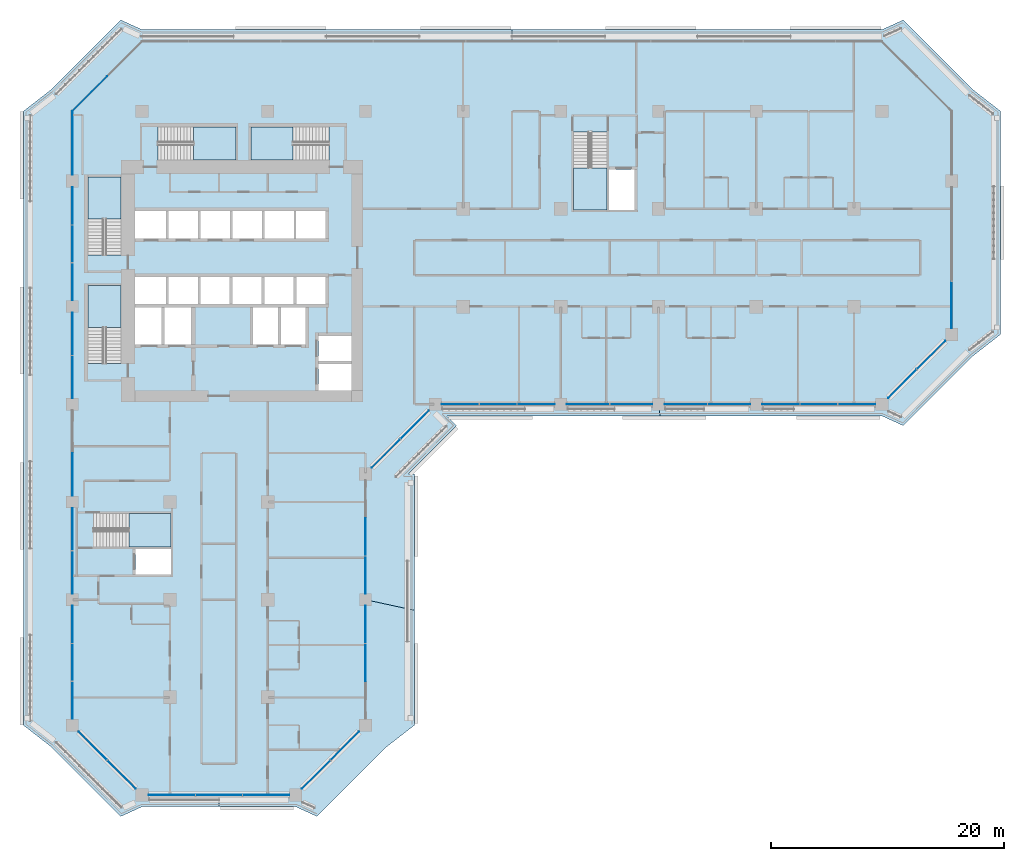
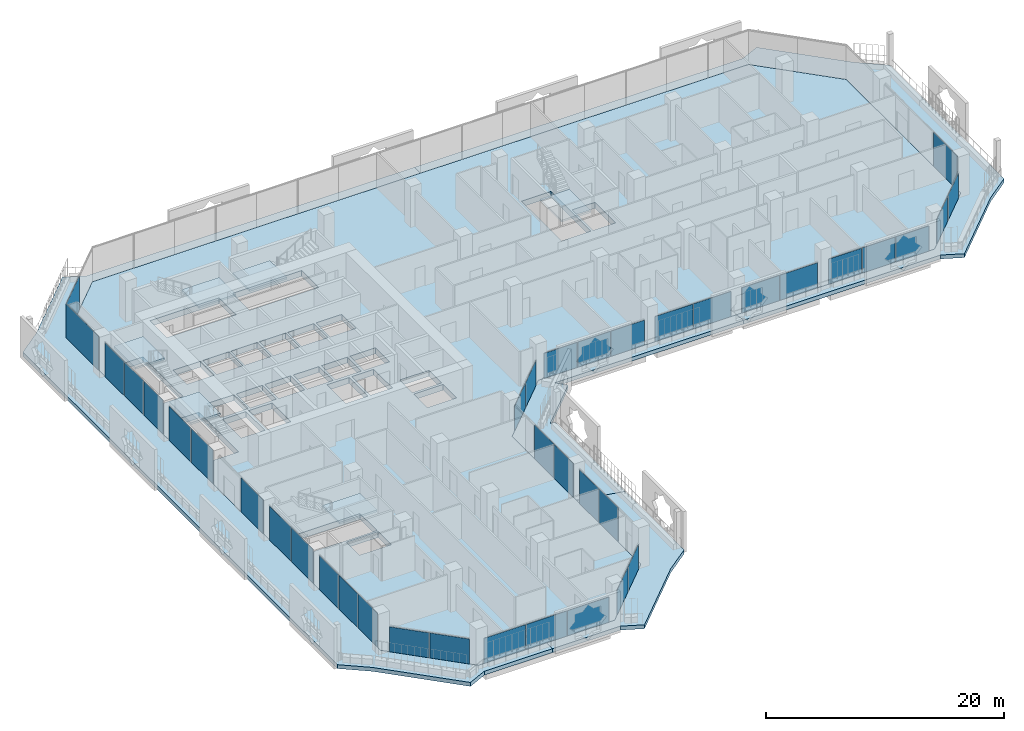
# One storey, part 10 of 25: 39 plates, 11 slabs, 16 elements without a shape of their own.
"""IFC4 building model written with IfcOpenShell, lengths in metres."""

from ifc_helpers import new_model, si_unit, direction, frame, origin, origin_2d, place, context, subcontext, project, spatial, polyline, rectangle, outline, extrude, material, layer, layer_set, type_object, element, aggregate, save


model = new_model("IFC4")

# Units and contexts
model_context = context("Model", 3, precision=1e-05, world=origin(), true_north=direction((0.0, 1.0)))
body_context = subcontext(model_context, "Body", "Model", "MODEL_VIEW")
ifc_project = project(units=[si_unit("LENGTHUNIT", "METRE"), si_unit("AREAUNIT", "SQUARE_METRE"), si_unit("VOLUMEUNIT", "CUBIC_METRE"), si_unit("PLANEANGLEUNIT", "RADIAN"), si_unit("MASSUNIT", "GRAM", prefix="KILO")], contexts=[model_context])

# Site, building, storey
site_placement = place(None, origin())
site = spatial("IfcSite", under=ifc_project, at=site_placement, CompositionType="ELEMENT")
building_placement = place(site_placement, origin())
building = spatial("IfcBuilding", under=site, at=building_placement, Name="Kawkab Arch Medical Tower", CompositionType="ELEMENT")
storey_placement = place(building_placement, frame((0.0, 0.0, 124.0)))
storey = spatial("IfcBuildingStorey", under=building, at=storey_placement, Name="L28", CompositionType="ELEMENT", Elevation=124.0)

# Curtain wall, plates
ifc_material_1 = material(Name="Bronze anodised aluminium curtain wall frame", Category="aluminium")
ifc_layer_1 = layer(ifc_material_1, 0.159912109375)
ifc_layer_set_1 = layer_set([ifc_layer_1], Name="Bronze anodised aluminium curtain wall frame")
curtain_wall_type_1 = type_object("IfcCurtainWallType", Name="CW1 ward curtain wall", PredefinedType="NOTDEFINED", material=ifc_layer_set_1)
placement_1 = place(storey_placement, origin())
curtain_wall_1 = element("IfcCurtainWall", 1, at=placement_1, inside=storey, type_object=curtain_wall_type_1, Name="CW1 Ward curtain wall R01", PredefinedType="NOTDEFINED")
ifc_material_2 = material(Name="Tinted insulating glass, bronze low-e coating", Category="glass")
ifc_layer_2 = layer(ifc_material_2, 0.031982421875)
ifc_layer_set_2 = layer_set([ifc_layer_2], Name="Tinted insulating glass, bronze low-e coating")
plate_type_1 = type_object("IfcPlateType", Name="CW1 glazing unit 32", PredefinedType="CURTAIN_PANEL", material=ifc_layer_set_2)
plate_1_placement = place(storey_placement, frame((0.0, -2.72509765625, 0.0), z_axis=(0.0, 0.0, 1.0), x_axis=(0.0, -1.0, 0.0)))
plate_1 = element("IfcPlate", 2, at=plate_1_placement, type_object=plate_type_1, Name="CW1 glazing unit 1.1", PredefinedType="CURTAIN_PANEL", context=body_context, shape_type="SweptSolid", body=[
    extrude(rectangle(XDim=5.449951171875, YDim=0.031982421875, at=origin_2d()), origin(), (0.0, 0.0, 1.0), 3.47998046875),
])
plate_2_placement = place(storey_placement, frame((0.0, -8.15576171875, 0.0), z_axis=(0.0, 0.0, 1.0), x_axis=(0.0, -1.0, 0.0)))
plate_2 = element("IfcPlate", 3, at=plate_2_placement, type_object=plate_type_1, Name="CW1 glazing unit 2.1", PredefinedType="CURTAIN_PANEL", context=body_context, shape_type="SweptSolid", body=[
    extrude(rectangle(XDim=3.211669921875, YDim=0.031982421875, at=origin_2d()), origin(), (0.0, 0.0, 1.0), 3.47998046875),
])
plate_3_placement = place(storey_placement, frame((0.0, -11.41259765625, 0.0), z_axis=(0.0, 0.0, 1.0), x_axis=(0.0, -1.0, 0.0)))
plate_3 = element("IfcPlate", 4, at=plate_3_placement, type_object=plate_type_1, Name="CW1 glazing unit 2.2", PredefinedType="CURTAIN_PANEL", context=body_context, shape_type="SweptSolid", body=[
    extrude(rectangle(XDim=3.181640625, YDim=0.031982421875, at=origin_2d()), origin(), (0.0, 0.0, 1.0), 3.47998046875),
])
plate_4_placement = place(storey_placement, frame((0.0, -14.669189453125, 0.0), z_axis=(0.0, 0.0, 1.0), x_axis=(0.0, -1.0, 0.0)))
plate_4 = element("IfcPlate", 5, at=plate_4_placement, type_object=plate_type_1, Name="CW1 glazing unit 2.3", PredefinedType="CURTAIN_PANEL", context=body_context, shape_type="SweptSolid", body=[
    extrude(rectangle(XDim=3.211669921875, YDim=0.031982421875, at=origin_2d()), origin(), (0.0, 0.0, 1.0), 3.47998046875),
])
plate_5_placement = place(storey_placement, frame((0.0, -19.1474609375, 0.0), z_axis=(0.0, 0.0, 1.0), x_axis=(0.0, -1.0, 0.0)))
plate_5 = element("IfcPlate", 6, at=plate_5_placement, type_object=plate_type_1, Name="CW1 glazing unit 3.1", PredefinedType="CURTAIN_PANEL", context=body_context, shape_type="SweptSolid", body=[
    extrude(rectangle(XDim=3.64501953125, YDim=0.031982421875, at=origin_2d()), origin(), (0.0, 0.0, 1.0), 3.47998046875),
])
plate_6_placement = place(storey_placement, frame((0.0, -22.8525390625, 0.0), z_axis=(0.0, 0.0, 1.0), x_axis=(0.0, -1.0, 0.0)))
plate_6 = element("IfcPlate", 7, at=plate_6_placement, type_object=plate_type_1, Name="CW1 glazing unit 3.2", PredefinedType="CURTAIN_PANEL", context=body_context, shape_type="SweptSolid", body=[
    extrude(rectangle(XDim=3.64501953125, YDim=0.031982421875, at=origin_2d()), origin(), (0.0, 0.0, 1.0), 3.47998046875),
])
plate_7_placement = place(storey_placement, frame((0.0, -31.237548828125, 0.0), z_axis=(0.0, 0.0, 1.0), x_axis=(0.0, -1.0, 0.0)))
plate_7 = element("IfcPlate", 8, at=plate_7_placement, type_object=plate_type_1, Name="CW1 glazing unit 4.2", PredefinedType="CURTAIN_PANEL", context=body_context, shape_type="SweptSolid", body=[
    extrude(rectangle(XDim=3.675048828125, YDim=0.031982421875, at=origin_2d()), origin(), (0.0, 0.0, 1.0), 3.47998046875),
])
plate_8_placement = place(storey_placement, frame((0.0, -35.947509765625, 0.0), z_axis=(0.0, 0.0, 1.0), x_axis=(0.0, -1.0, 0.0)))
plate_8 = element("IfcPlate", 9, at=plate_8_placement, type_object=plate_type_1, Name="CW1 glazing unit 5.1", PredefinedType="CURTAIN_PANEL", context=body_context, shape_type="SweptSolid", body=[
    extrude(rectangle(XDim=3.64501953125, YDim=0.031982421875, at=origin_2d()), origin(), (0.0, 0.0, 1.0), 3.47998046875),
])
plate_9_placement = place(storey_placement, frame((0.0, -39.652587890625, 0.0), z_axis=(0.0, 0.0, 1.0), x_axis=(0.0, -1.0, 0.0)))
plate_9 = element("IfcPlate", 10, at=plate_9_placement, type_object=plate_type_1, Name="CW1 glazing unit 5.2", PredefinedType="CURTAIN_PANEL", context=body_context, shape_type="SweptSolid", body=[
    extrude(rectangle(XDim=3.64501953125, YDim=0.031982421875, at=origin_2d()), origin(), (0.0, 0.0, 1.0), 3.47998046875),
])
plate_10_placement = place(storey_placement, frame((0.0, -44.130859375, 0.0), z_axis=(0.0, 0.0, 1.0), x_axis=(0.0, -1.0, 0.0)))
plate_10 = element("IfcPlate", 11, at=plate_10_placement, type_object=plate_type_1, Name="CW1 glazing unit 6.1", PredefinedType="CURTAIN_PANEL", context=body_context, shape_type="SweptSolid", body=[
    extrude(rectangle(XDim=3.211669921875, YDim=0.031982421875, at=origin_2d()), origin(), (0.0, 0.0, 1.0), 3.47998046875),
])
plate_11_placement = place(storey_placement, frame((0.0, -47.387451171875, 0.0), z_axis=(0.0, 0.0, 1.0), x_axis=(0.0, -1.0, 0.0)))
plate_11 = element("IfcPlate", 12, at=plate_11_placement, type_object=plate_type_1, Name="CW1 glazing unit 6.2", PredefinedType="CURTAIN_PANEL", context=body_context, shape_type="SweptSolid", body=[
    extrude(rectangle(XDim=3.181640625, YDim=0.031982421875, at=origin_2d()), origin(), (0.0, 0.0, 1.0), 3.47998046875),
])
plate_12_placement = place(storey_placement, frame((0.0, -50.644287109375, 0.0), z_axis=(0.0, 0.0, 1.0), x_axis=(0.0, -1.0, 0.0)))
plate_12 = element("IfcPlate", 13, at=plate_12_placement, type_object=plate_type_1, Name="CW1 glazing unit 6.3", PredefinedType="CURTAIN_PANEL", context=body_context, shape_type="SweptSolid", body=[
    extrude(rectangle(XDim=3.211669921875, YDim=0.031982421875, at=origin_2d()), origin(), (0.0, 0.0, 1.0), 3.47998046875),
])
aggregate(curtain_wall_1, [plate_1, plate_2, plate_3, plate_4, plate_5, plate_6, plate_7, plate_8, plate_9, plate_10, plate_11, plate_12])

curtain_wall_2 = element("IfcCurtainWall", 14, at=placement_1, inside=storey, type_object=curtain_wall_type_1, Name="CW1 Ward curtain wall R03", PredefinedType="NOTDEFINED")
plate_13_placement = place(storey_placement, frame((8.5517578125, -58.800048828125, 0.0), z_axis=(0.0, 0.0, 1.0), x_axis=(1.0, 0.0, 0.0)))
plate_13 = element("IfcPlate", 15, at=plate_13_placement, type_object=plate_type_1, Name="CW1 glazing unit 1.1", PredefinedType="CURTAIN_PANEL", context=body_context, shape_type="SweptSolid", body=[
    extrude(rectangle(XDim=4.00341796875, YDim=0.031982421875, at=origin_2d()), origin(), (0.0, 0.0, 1.0), 2.580078125),
])
plate_14_placement = place(storey_placement, frame((12.60009765625, -58.800048828125, 0.0), z_axis=(0.0, 0.0, 1.0), x_axis=(1.0, 0.0, 0.0)))
plate_14 = element("IfcPlate", 16, at=plate_14_placement, type_object=plate_type_1, Name="CW1 glazing unit 1.2", PredefinedType="CURTAIN_PANEL", context=body_context, shape_type="SweptSolid", body=[
    extrude(rectangle(XDim=3.973388671875, YDim=0.031982421875, at=origin_2d()), origin(), (0.0, 0.0, 1.0), 2.580078125),
])
plate_15_placement = place(storey_placement, frame((16.6484375, -58.800048828125, 0.0), z_axis=(0.0, 0.0, 1.0), x_axis=(1.0, 0.0, 0.0)))
plate_15 = element("IfcPlate", 17, at=plate_15_placement, type_object=plate_type_1, Name="CW1 glazing unit 1.3", PredefinedType="CURTAIN_PANEL", context=body_context, shape_type="SweptSolid", body=[
    extrude(rectangle(XDim=4.00341796875, YDim=0.031982421875, at=origin_2d()), origin(), (0.0, 0.0, 1.0), 2.580078125),
])
aggregate(curtain_wall_2, [plate_13, plate_14, plate_15])

curtain_wall_3 = element("IfcCurtainWall", 18, at=placement_1, inside=storey, type_object=curtain_wall_type_1, Name="CW1 Ward curtain wall R05", PredefinedType="NOTDEFINED")
plate_16_placement = place(storey_placement, frame((25.199951171875, -47.402587890625, 0.0), z_axis=(0.0, 0.0, 1.0), x_axis=(0.0, 1.0, 0.0)))
plate_16 = element("IfcPlate", 19, at=plate_16_placement, type_object=plate_type_1, Name="CW1 glazing unit 1.2", PredefinedType="CURTAIN_PANEL", context=body_context, shape_type="SweptSolid", body=[
    extrude(rectangle(XDim=3.211669921875, YDim=0.031982421875, at=origin_2d()), origin(), (0.0, 0.0, 1.0), 3.47998046875),
])
plate_17_placement = place(storey_placement, frame((25.199951171875, -44.130859375, 0.0), z_axis=(0.0, 0.0, 1.0), x_axis=(0.0, 1.0, 0.0)))
plate_17 = element("IfcPlate", 20, at=plate_17_placement, type_object=plate_type_1, Name="CW1 glazing unit 1.3", PredefinedType="CURTAIN_PANEL", context=body_context, shape_type="SweptSolid", body=[
    extrude(rectangle(XDim=3.211669921875, YDim=0.031982421875, at=origin_2d()), origin(), (0.0, 0.0, 1.0), 3.47998046875),
])
plate_18_placement = place(storey_placement, frame((25.199951171875, -39.869140625, 0.0), z_axis=(0.0, 0.0, 1.0), x_axis=(0.0, 1.0, 0.0)))
plate_18 = element("IfcPlate", 21, at=plate_18_placement, type_object=plate_type_1, Name="CW1 glazing unit 2.1", PredefinedType="CURTAIN_PANEL", context=body_context, shape_type="SweptSolid", body=[
    extrude(rectangle(XDim=3.211669921875, YDim=0.031982421875, at=origin_2d()), origin(), (0.0, 0.0, 1.0), 3.47998046875),
])
plate_19_placement = place(storey_placement, frame((25.199951171875, -36.597412109375, 0.0), z_axis=(0.0, 0.0, 1.0), x_axis=(0.0, 1.0, 0.0)))
plate_19 = element("IfcPlate", 22, at=plate_19_placement, type_object=plate_type_1, Name="CW1 glazing unit 2.2", PredefinedType="CURTAIN_PANEL", context=body_context, shape_type="SweptSolid", body=[
    extrude(rectangle(XDim=3.211669921875, YDim=0.031982421875, at=origin_2d()), origin(), (0.0, 0.0, 1.0), 3.47998046875),
])
aggregate(curtain_wall_3, [plate_16, plate_17, plate_18, plate_19])

curtain_wall_4 = element("IfcCurtainWall", 23, at=placement_1, inside=storey, type_object=curtain_wall_type_1, Name="CW1 Ward curtain wall R07", PredefinedType="NOTDEFINED")
plate_20_placement = place(storey_placement, frame((33.355712890625, -25.199951171875, 0.0), z_axis=(0.0, 0.0, 1.0), x_axis=(1.0, 0.0, 0.0)))
plate_20 = element("IfcPlate", 24, at=plate_20_placement, type_object=plate_type_1, Name="CW1 glazing unit 1.1", PredefinedType="CURTAIN_PANEL", context=body_context, shape_type="SweptSolid", body=[
    extrude(rectangle(XDim=3.211669921875, YDim=0.031982421875, at=origin_2d()), origin(), (0.0, 0.0, 1.0), 2.580078125),
])
plate_21_placement = place(storey_placement, frame((36.612548828125, -25.199951171875, 0.0), z_axis=(0.0, 0.0, 1.0), x_axis=(1.0, 0.0, 0.0)))
plate_21 = element("IfcPlate", 25, at=plate_21_placement, type_object=plate_type_1, Name="CW1 glazing unit 1.2", PredefinedType="CURTAIN_PANEL", context=body_context, shape_type="SweptSolid", body=[
    extrude(rectangle(XDim=3.181640625, YDim=0.031982421875, at=origin_2d()), origin(), (0.0, 0.0, 1.0), 2.580078125),
])
plate_22_placement = place(storey_placement, frame((39.869140625, -25.199951171875, 0.0), z_axis=(0.0, 0.0, 1.0), x_axis=(1.0, 0.0, 0.0)))
plate_22 = element("IfcPlate", 26, at=plate_22_placement, type_object=plate_type_1, Name="CW1 glazing unit 1.3", PredefinedType="CURTAIN_PANEL", context=body_context, shape_type="SweptSolid", body=[
    extrude(rectangle(XDim=3.211669921875, YDim=0.031982421875, at=origin_2d()), origin(), (0.0, 0.0, 1.0), 2.580078125),
])
plate_23_placement = place(storey_placement, frame((44.347412109375, -25.199951171875, 0.0), z_axis=(0.0, 0.0, 1.0), x_axis=(1.0, 0.0, 0.0)))
plate_23 = element("IfcPlate", 27, at=plate_23_placement, type_object=plate_type_1, Name="CW1 glazing unit 2.1", PredefinedType="CURTAIN_PANEL", context=body_context, shape_type="SweptSolid", body=[
    extrude(rectangle(XDim=3.64501953125, YDim=0.031982421875, at=origin_2d()), origin(), (0.0, 0.0, 1.0), 2.580078125),
])
plate_24_placement = place(storey_placement, frame((48.052490234375, -25.199951171875, 0.0), z_axis=(0.0, 0.0, 1.0), x_axis=(1.0, 0.0, 0.0)))
plate_24 = element("IfcPlate", 28, at=plate_24_placement, type_object=plate_type_1, Name="CW1 glazing unit 2.2", PredefinedType="CURTAIN_PANEL", context=body_context, shape_type="SweptSolid", body=[
    extrude(rectangle(XDim=3.64501953125, YDim=0.031982421875, at=origin_2d()), origin(), (0.0, 0.0, 1.0), 2.580078125),
])
plate_25_placement = place(storey_placement, frame((52.74755859375, -25.199951171875, 0.0), z_axis=(0.0, 0.0, 1.0), x_axis=(1.0, 0.0, 0.0)))
plate_25 = element("IfcPlate", 29, at=plate_25_placement, type_object=plate_type_1, Name="CW1 glazing unit 3.1", PredefinedType="CURTAIN_PANEL", context=body_context, shape_type="SweptSolid", body=[
    extrude(rectangle(XDim=3.64501953125, YDim=0.031982421875, at=origin_2d()), origin(), (0.0, 0.0, 1.0), 2.580078125),
])
plate_26_placement = place(storey_placement, frame((56.452392578125, -25.199951171875, 0.0), z_axis=(0.0, 0.0, 1.0), x_axis=(1.0, 0.0, 0.0)))
plate_26 = element("IfcPlate", 30, at=plate_26_placement, type_object=plate_type_1, Name="CW1 glazing unit 3.2", PredefinedType="CURTAIN_PANEL", context=body_context, shape_type="SweptSolid", body=[
    extrude(rectangle(XDim=3.64501953125, YDim=0.031982421875, at=origin_2d()), origin(), (0.0, 0.0, 1.0), 2.580078125),
])
plate_27_placement = place(storey_placement, frame((60.930908203125, -25.199951171875, 0.0), z_axis=(0.0, 0.0, 1.0), x_axis=(1.0, 0.0, 0.0)))
plate_27 = element("IfcPlate", 31, at=plate_27_placement, type_object=plate_type_1, Name="CW1 glazing unit 4.1", PredefinedType="CURTAIN_PANEL", context=body_context, shape_type="SweptSolid", body=[
    extrude(rectangle(XDim=3.211669921875, YDim=0.031982421875, at=origin_2d()), origin(), (0.0, 0.0, 1.0), 2.580078125),
])
plate_28_placement = place(storey_placement, frame((64.1875, -25.199951171875, 0.0), z_axis=(0.0, 0.0, 1.0), x_axis=(1.0, 0.0, 0.0)))
plate_28 = element("IfcPlate", 32, at=plate_28_placement, type_object=plate_type_1, Name="CW1 glazing unit 4.2", PredefinedType="CURTAIN_PANEL", context=body_context, shape_type="SweptSolid", body=[
    extrude(rectangle(XDim=3.181640625, YDim=0.031982421875, at=origin_2d()), origin(), (0.0, 0.0, 1.0), 2.580078125),
])
plate_29_placement = place(storey_placement, frame((67.444091796875, -25.199951171875, 0.0), z_axis=(0.0, 0.0, 1.0), x_axis=(1.0, 0.0, 0.0)))
plate_29 = element("IfcPlate", 33, at=plate_29_placement, type_object=plate_type_1, Name="CW1 glazing unit 4.3", PredefinedType="CURTAIN_PANEL", context=body_context, shape_type="SweptSolid", body=[
    extrude(rectangle(XDim=3.211669921875, YDim=0.031982421875, at=origin_2d()), origin(), (0.0, 0.0, 1.0), 2.580078125),
])
aggregate(curtain_wall_4, [plate_20, plate_21, plate_22, plate_23, plate_24, plate_25, plate_26, plate_27, plate_28, plate_29])

# Curtain wall, plate
curtain_wall_5 = element("IfcCurtainWall", 34, at=placement_1, inside=storey, type_object=curtain_wall_type_1, Name="CW1 Ward curtain wall R09", PredefinedType="NOTDEFINED")
plate_30_placement = place(storey_placement, frame((75.60009765625, -16.6484375, 0.0), z_axis=(0.0, 0.0, 1.0), x_axis=(0.0, 1.0, 0.0)))
plate_30 = element("IfcPlate", 35, at=plate_30_placement, type_object=plate_type_1, Name="CW1 glazing unit 1.1", PredefinedType="CURTAIN_PANEL", context=body_context, shape_type="SweptSolid", body=[
    extrude(rectangle(XDim=4.00341796875, YDim=0.031982421875, at=origin_2d()), origin(), (0.0, 0.0, 1.0), 3.47998046875),
])
aggregate(curtain_wall_5, [plate_30])

# Curtain wall, plates
ifc_material_3 = material(Name="Bronze anodised aluminium curtain wall frame", Category="aluminium")
ifc_layer_3 = layer(ifc_material_3, 0.159912109375)
ifc_layer_set_3 = layer_set([ifc_layer_3], Name="Bronze anodised aluminium curtain wall frame")
curtain_wall_type_2 = type_object("IfcCurtainWallType", Name="CW2 chamfer curtain wall", PredefinedType="NOTDEFINED", material=ifc_layer_set_3)
curtain_wall_6 = element("IfcCurtainWall", 36, at=placement_1, inside=storey, type_object=curtain_wall_type_2, Name="CW2 Chamfer curtain wall R02", PredefinedType="NOTDEFINED")
ifc_material_4 = material(Name="Tinted insulating glass, bronze low-e coating", Category="glass")
ifc_layer_4 = layer(ifc_material_4, 0.031982421875)
ifc_layer_set_4 = layer_set([ifc_layer_4], Name="Tinted insulating glass, bronze low-e coating")
plate_type_2 = type_object("IfcPlateType", Name="CW2 glazing unit 32", PredefinedType="CURTAIN_PANEL", material=ifc_layer_set_4)
plate_31_placement = place(storey_placement, frame((1.764404296875, -54.564453125, 0.0), z_axis=(0.0, 0.0, 1.0), x_axis=(0.707106781187, -0.707106781187, 0.0)))
plate_31 = element("IfcPlate", 37, at=plate_31_placement, type_object=plate_type_2, Name="CW2 glazing unit 1.1", PredefinedType="CURTAIN_PANEL", context=body_context, shape_type="SweptSolid", body=[
    extrude(rectangle(XDim=3.434814453125, YDim=0.031982421875, at=origin_2d()), origin(), (0.0, 0.0, 1.0), 2.56005859375),
])
plate_32_placement = place(storey_placement, frame((4.235595703125, -57.03564453125, 0.0), z_axis=(0.0, 0.0, 1.0), x_axis=(0.707106781187, -0.707106781187, 0.0)))
plate_32 = element("IfcPlate", 38, at=plate_32_placement, type_object=plate_type_2, Name="CW2 glazing unit 1.2", PredefinedType="CURTAIN_PANEL", context=body_context, shape_type="SweptSolid", body=[
    extrude(rectangle(XDim=3.434814453125, YDim=0.031982421875, at=origin_2d()), origin(), (0.0, 0.0, 1.0), 2.56005859375),
])
aggregate(curtain_wall_6, [plate_31, plate_32])

curtain_wall_7 = element("IfcCurtainWall", 39, at=placement_1, inside=storey, type_object=curtain_wall_type_2, Name="CW2 Chamfer curtain wall R04", PredefinedType="NOTDEFINED")
plate_33_placement = place(storey_placement, frame((20.96435546875, -57.03564453125, 0.0), z_axis=(0.0, 0.0, 1.0), x_axis=(0.707106781187, 0.707106781187, 0.0)))
plate_33 = element("IfcPlate", 40, at=plate_33_placement, type_object=plate_type_2, Name="CW2 glazing unit 1.1", PredefinedType="CURTAIN_PANEL", context=body_context, shape_type="SweptSolid", body=[
    extrude(rectangle(XDim=3.434814453125, YDim=0.031982421875, at=origin_2d()), origin(), (0.0, 0.0, 1.0), 2.56005859375),
])
plate_34_placement = place(storey_placement, frame((23.435546875, -54.564453125, 0.0), z_axis=(0.0, 0.0, 1.0), x_axis=(0.707106781187, 0.707106781187, 0.0)))
plate_34 = element("IfcPlate", 41, at=plate_34_placement, type_object=plate_type_2, Name="CW2 glazing unit 1.2", PredefinedType="CURTAIN_PANEL", context=body_context, shape_type="SweptSolid", body=[
    extrude(rectangle(XDim=3.434814453125, YDim=0.031982421875, at=origin_2d()), origin(), (0.0, 0.0, 1.0), 2.56005859375),
])
aggregate(curtain_wall_7, [plate_33, plate_34])

curtain_wall_8 = element("IfcCurtainWall", 42, at=placement_1, inside=storey, type_object=curtain_wall_type_2, Name="CW2 Chamfer curtain wall R06", PredefinedType="NOTDEFINED")
plate_35_placement = place(storey_placement, frame((26.96435546875, -29.435546875, 0.0), z_axis=(0.0, 0.0, 1.0), x_axis=(0.707106781187, 0.707106781187, 0.0)))
plate_35 = element("IfcPlate", 43, at=plate_35_placement, type_object=plate_type_2, Name="CW2 glazing unit 1.1", PredefinedType="CURTAIN_PANEL", context=body_context, shape_type="SweptSolid", body=[
    extrude(rectangle(XDim=3.434814453125, YDim=0.031982421875, at=origin_2d()), origin(), (0.0, 0.0, 1.0), 2.56005859375),
])
plate_36_placement = place(storey_placement, frame((29.435546875, -26.96435546875, 0.0), z_axis=(0.0, 0.0, 1.0), x_axis=(0.707106781187, 0.707106781187, 0.0)))
plate_36 = element("IfcPlate", 44, at=plate_36_placement, type_object=plate_type_2, Name="CW2 glazing unit 1.2", PredefinedType="CURTAIN_PANEL", context=body_context, shape_type="SweptSolid", body=[
    extrude(rectangle(XDim=3.434814453125, YDim=0.031982421875, at=origin_2d()), origin(), (0.0, 0.0, 1.0), 2.56005859375),
])
aggregate(curtain_wall_8, [plate_35, plate_36])

curtain_wall_9 = element("IfcCurtainWall", 45, at=placement_1, inside=storey, type_object=curtain_wall_type_2, Name="CW2 Chamfer curtain wall R08", PredefinedType="NOTDEFINED")
plate_37_placement = place(storey_placement, frame((71.364501953125, -23.435546875, 0.0), z_axis=(0.0, 0.0, 1.0), x_axis=(0.707106781187, 0.707106781187, 0.0)))
plate_37 = element("IfcPlate", 46, at=plate_37_placement, type_object=plate_type_2, Name="CW2 glazing unit 1.1", PredefinedType="CURTAIN_PANEL", context=body_context, shape_type="SweptSolid", body=[
    extrude(rectangle(XDim=3.434814453125, YDim=0.031982421875, at=origin_2d()), origin(), (0.0, 0.0, 1.0), 2.56005859375),
])
plate_38_placement = place(storey_placement, frame((73.835693359375, -20.96435546875, 0.0), z_axis=(0.0, 0.0, 1.0), x_axis=(0.707106781187, 0.707106781187, 0.0)))
plate_38 = element("IfcPlate", 47, at=plate_38_placement, type_object=plate_type_2, Name="CW2 glazing unit 1.2", PredefinedType="CURTAIN_PANEL", context=body_context, shape_type="SweptSolid", body=[
    extrude(rectangle(XDim=3.434814453125, YDim=0.031982421875, at=origin_2d()), origin(), (0.0, 0.0, 1.0), 2.56005859375),
])
aggregate(curtain_wall_9, [plate_37, plate_38])

# Curtain wall, plate
curtain_wall_10 = element("IfcCurtainWall", 48, at=placement_1, inside=storey, type_object=curtain_wall_type_2, Name="CW2 Chamfer curtain wall R12", PredefinedType="NOTDEFINED")
plate_39_placement = place(storey_placement, frame((1.5, 1.5, 0.0), z_axis=(0.0, 0.0, 1.0), x_axis=(-0.707106781187, -0.707106781187, 0.0)))
plate_39 = element("IfcPlate", 49, at=plate_39_placement, type_object=plate_type_2, Name="CW2 glazing unit 2.1", PredefinedType="CURTAIN_PANEL", context=body_context, shape_type="SweptSolid", body=[
    extrude(rectangle(XDim=4.24267578125, YDim=0.031982421875, at=origin_2d()), origin(), (0.0, 0.0, 1.0), 3.4599609375),
])
aggregate(curtain_wall_10, [plate_39])

# Stair, slab
ifc_material_5 = material(Name="Concrete C40/50", Category="concrete")
stair_type = type_object("IfcStairType", Name="Exit stair 1350", PredefinedType="HALF_TURN_STAIR", material=ifc_material_5)
stair_1 = element("IfcStair", 50, at=placement_1, inside=storey, type_object=stair_type, Name="L28 Exit stair ST1", PredefinedType="HALF_TURN_STAIR")
ifc_material_6 = material(Name="Concrete C40/50", Category="concrete")
ifc_layer_5 = layer(ifc_material_6, 0.199951171875)
ifc_layer_set_5 = layer_set([ifc_layer_5], Name="Concrete C40/50")
slab_type_1 = type_object("IfcSlabType", Name="Exit stair landing 200", PredefinedType="LANDING", material=ifc_layer_set_5)
placement_2 = place(storey_placement, frame((0.0, 0.0, 1.89990234375)))
slab_1 = element("IfcSlab", 51, at=placement_2, type_object=slab_type_1, Name="ST1 landing 1", PredefinedType="LANDING", context=body_context, shape_type="SweptSolid", body=[
    extrude(outline(polyline([(4.199951171875, -9.27001953125), (4.199951171875, -5.64990234375), (1.35009765625, -5.64990234375), (1.35009765625, -9.27001953125), (4.199951171875, -9.27001953125)])), origin(), (0.0, 0.0, 1.0), 0.2001953125),
])
aggregate(stair_1, [slab_1])

stair_2 = element("IfcStair", 52, at=placement_1, inside=storey, type_object=stair_type, Name="L28 Exit stair ST2", PredefinedType="HALF_TURN_STAIR")
slab_2 = element("IfcSlab", 53, at=placement_2, type_object=slab_type_1, Name="ST2 landing 1", PredefinedType="LANDING", context=body_context, shape_type="SweptSolid", body=[
    extrude(outline(polyline([(4.199951171875, -18.6201171875), (4.199951171875, -15.0), (1.35009765625, -15.0), (1.35009765625, -18.6201171875), (4.199951171875, -18.6201171875)])), origin(), (0.0, 0.0, 1.0), 0.2001953125),
])
aggregate(stair_2, [slab_2])

stair_3 = element("IfcStair", 54, at=placement_1, inside=storey, type_object=stair_type, Name="L28 Exit stair ST3", PredefinedType="HALF_TURN_STAIR")
slab_3 = element("IfcSlab", 55, at=placement_2, type_object=slab_type_1, Name="ST3 landing 1", PredefinedType="LANDING", context=body_context, shape_type="SweptSolid", body=[
    extrude(outline(polyline([(10.429931640625, -4.199951171875), (14.050048828125, -4.199951171875), (14.050048828125, -1.35009765625), (10.429931640625, -1.35009765625), (10.429931640625, -4.199951171875)])), origin(), (0.0, 0.0, 1.0), 0.2001953125),
])
aggregate(stair_3, [slab_3])

stair_4 = element("IfcStair", 56, at=placement_1, inside=storey, type_object=stair_type, Name="L28 Exit stair ST4", PredefinedType="HALF_TURN_STAIR")
slab_4 = element("IfcSlab", 57, at=placement_2, type_object=slab_type_1, Name="ST4 landing 1", PredefinedType="LANDING", context=body_context, shape_type="SweptSolid", body=[
    extrude(outline(polyline([(18.969970703125, -1.35009765625), (15.35009765625, -1.35009765625), (15.35009765625, -4.199951171875), (18.969970703125, -4.199951171875), (18.969970703125, -1.35009765625)])), origin(), (0.0, 0.0, 1.0), 0.2001953125),
])
aggregate(stair_4, [slab_4])

stair_5 = element("IfcStair", 58, at=placement_1, inside=storey, type_object=stair_type, Name="L28 Exit stair ST5", PredefinedType="HALF_TURN_STAIR")
slab_5 = element("IfcSlab", 59, at=placement_2, type_object=slab_type_1, Name="ST5 landing 1", PredefinedType="LANDING", context=body_context, shape_type="SweptSolid", body=[
    extrude(outline(polyline([(43.10009765625, -4.8798828125), (43.10009765625, -8.5), (45.949951171875, -8.5), (45.949951171875, -4.8798828125), (43.10009765625, -4.8798828125)])), origin(), (0.0, 0.0, 1.0), 0.2001953125),
])
aggregate(stair_5, [slab_5])

stair_6 = element("IfcStair", 60, at=placement_1, inside=storey, type_object=stair_type, Name="L28 Exit stair ST6", PredefinedType="HALF_TURN_STAIR")
slab_6 = element("IfcSlab", 61, at=placement_2, type_object=slab_type_1, Name="ST6 landing 1", PredefinedType="LANDING", context=body_context, shape_type="SweptSolid", body=[
    extrude(outline(polyline([(4.8798828125, -37.449951171875), (8.5, -37.449951171875), (8.5, -34.60009765625), (4.8798828125, -34.60009765625), (4.8798828125, -37.449951171875)])), origin(), (0.0, 0.0, 1.0), 0.2001953125),
])
aggregate(stair_6, [slab_6])

# Slabs
ifc_material_7 = material(Name="Concrete C45/55", Category="concrete")
ifc_layer_6 = layer(ifc_material_7, 0.60009765625)
ifc_layer_set_6 = layer_set([ifc_layer_6], Name="Concrete C45/55")
slab_type_2 = type_object("IfcSlabType", Name="Flat plate 600 C45/55", PredefinedType="FLOOR", material=ifc_layer_set_6)
slab_7_placement = place(storey_placement, frame((0.0, 0.0, -0.60009765625)))
element("IfcSlab", 62, at=slab_7_placement, inside=storey, type_object=slab_type_2, Name="Floor slab L28", PredefinedType="FLOOR", context=body_context, shape_type="SweptSolid", body=[
    extrude(outline(polyline([(6.0, 6.0), (69.60009765625, 6.0), (75.60009765625, 0.0), (75.60009765625, -19.199951171875), (69.60009765625, -25.199951171875), (31.199951171875, -25.199951171875), (25.199951171875, -31.199951171875), (25.199951171875, -52.800048828125), (19.199951171875, -58.800048828125), (6.0, -58.800048828125), (0.0, -52.800048828125), (0.0, 0.0), (6.0, 6.0)]), holes=[polyline([(5.425048828125, -37.64990234375), (5.425048828125, -39.85009765625), (8.5, -39.85009765625), (8.5, -37.64990234375), (5.425048828125, -37.64990234375)]), polyline([(1.800048828125, -37.449951171875), (8.5, -37.449951171875), (8.5, -34.60009765625), (1.800048828125, -34.60009765625), (1.800048828125, -37.449951171875)]), polyline([(5.39990234375, -16.89990234375), (5.39990234375, -20.050048828125), (7.675048828125, -20.050048828125), (7.675048828125, -16.89990234375), (5.39990234375, -16.89990234375)]), polyline([(10.199951171875, -16.89990234375), (7.925048828125, -16.89990234375), (7.925048828125, -20.050048828125), (10.199951171875, -20.050048828125), (10.199951171875, -16.89990234375)]), polyline([(4.199951171875, -21.699951171875), (4.199951171875, -15.0), (1.35009765625, -15.0), (1.35009765625, -21.699951171875), (4.199951171875, -21.699951171875)]), polyline([(5.39990234375, -14.25), (5.39990234375, -16.60009765625), (8.050048828125, -16.60009765625), (8.050048828125, -14.25), (5.39990234375, -14.25)]), polyline([(8.25, -16.60009765625), (10.800048828125, -16.60009765625), (10.800048828125, -14.25), (8.25, -14.25), (8.25, -16.60009765625)]), polyline([(13.52490234375, -16.60009765625), (13.52490234375, -14.25), (11.0, -14.25), (11.0, -16.60009765625), (13.52490234375, -16.60009765625)]), polyline([(5.39990234375, -8.60009765625), (5.39990234375, -10.949951171875), (8.050048828125, -10.949951171875), (8.050048828125, -8.60009765625), (5.39990234375, -8.60009765625)]), polyline([(8.25, -10.949951171875), (10.800048828125, -10.949951171875), (10.800048828125, -8.60009765625), (8.25, -8.60009765625), (8.25, -10.949951171875)]), polyline([(13.550048828125, -8.60009765625), (11.0, -8.60009765625), (11.0, -10.949951171875), (13.550048828125, -10.949951171875), (13.550048828125, -8.60009765625)]), polyline([(4.199951171875, -12.35009765625), (4.199951171875, -5.64990234375), (1.35009765625, -5.64990234375), (1.35009765625, -12.35009765625), (4.199951171875, -12.35009765625)]), polyline([(7.35009765625, -4.199951171875), (14.050048828125, -4.199951171875), (14.050048828125, -1.35009765625), (7.35009765625, -1.35009765625), (7.35009765625, -4.199951171875)]), polyline([(24.0, -21.72509765625), (21.14990234375, -21.72509765625), (21.14990234375, -24.0), (24.0, -24.0), (24.0, -21.72509765625)]), polyline([(24.0, -21.47509765625), (24.0, -19.35009765625), (21.14990234375, -19.35009765625), (21.14990234375, -21.47509765625), (24.0, -21.47509765625)]), polyline([(17.675048828125, -20.050048828125), (17.675048828125, -16.89990234375), (15.52490234375, -16.89990234375), (15.52490234375, -20.050048828125), (17.675048828125, -20.050048828125)]), polyline([(20.050048828125, -16.89990234375), (17.925048828125, -16.89990234375), (17.925048828125, -20.050048828125), (20.050048828125, -20.050048828125), (20.050048828125, -16.89990234375)]), polyline([(13.77490234375, -16.60009765625), (16.27490234375, -16.60009765625), (16.27490234375, -14.25), (13.77490234375, -14.25), (13.77490234375, -16.60009765625)]), polyline([(16.52490234375, -16.60009765625), (19.02490234375, -16.60009765625), (19.02490234375, -14.25), (16.52490234375, -14.25), (16.52490234375, -16.60009765625)]), polyline([(21.75, -14.25), (19.27490234375, -14.25), (19.27490234375, -16.60009765625), (21.75, -16.60009765625), (21.75, -14.25)]), polyline([(16.300048828125, -10.949951171875), (16.300048828125, -8.60009765625), (13.75, -8.60009765625), (13.75, -10.949951171875), (16.300048828125, -10.949951171875)]), polyline([(19.050048828125, -10.949951171875), (19.050048828125, -8.60009765625), (16.5, -8.60009765625), (16.5, -10.949951171875), (19.050048828125, -10.949951171875)]), polyline([(21.75, -8.60009765625), (19.25, -8.60009765625), (19.25, -10.949951171875), (21.75, -10.949951171875), (21.75, -8.60009765625)]), polyline([(46.14990234375, -5.02490234375), (46.14990234375, -8.5), (48.35009765625, -8.5), (48.35009765625, -5.02490234375), (46.14990234375, -5.02490234375)]), polyline([(43.10009765625, -1.800048828125), (43.10009765625, -8.5), (45.949951171875, -8.5), (45.949951171875, -1.800048828125), (43.10009765625, -1.800048828125)]), polyline([(22.050048828125, -1.35009765625), (15.35009765625, -1.35009765625), (15.35009765625, -4.199951171875), (22.050048828125, -4.199951171875), (22.050048828125, -1.35009765625)])]), origin(), (0.0, 0.0, 1.0), 0.60009765625),
])
ifc_material_8 = material(Name="Concrete C40/50", Category="concrete")
ifc_layer_7 = layer(ifc_material_8, 0.39990234375)
ifc_layer_set_7 = layer_set([ifc_layer_7], Name="Concrete C40/50")
slab_type_3 = type_object("IfcSlabType", Name="Loggia slab 400", PredefinedType="FLOOR", material=ifc_layer_set_7)
placement_3 = place(storey_placement, frame((0.0, 0.0, -0.39990234375)))
element("IfcSlab", 63, at=placement_3, inside=storey, type_object=slab_type_3, Name="Loggia slab L28.1", PredefinedType="FLOOR", context=body_context, shape_type="SweptSolid", body=[
    extrude(outline(polyline([(19.199951171875, -59.800048828125), (12.60009765625, -59.800048828125), (12.60009765625, -58.800048828125), (19.199951171875, -58.800048828125), (25.199951171875, -52.800048828125), (25.199951171875, -42.0), (29.39990234375, -42.9130859375), (29.39990234375, -52.800048828125), (27.0380859375, -54.637939453125), (21.0380859375, -60.637939453125), (19.199951171875, -59.800048828125)])), origin(), (0.0, 0.0, 1.0), 0.39990234375),
])
element("IfcSlab", 64, at=placement_3, inside=storey, type_object=slab_type_3, Name="Loggia slab L28.2", PredefinedType="FLOOR", context=body_context, shape_type="SweptSolid", body=[
    extrude(outline(polyline([(33.037109375, -27.0380859375), (28.8759765625, -31.199951171875), (29.39990234375, -31.199951171875), (29.39990234375, -42.9130859375), (25.199951171875, -42.0), (25.199951171875, -31.199951171875), (31.199951171875, -25.199951171875), (50.39990234375, -25.199951171875), (50.534912109375, -26.199951171875), (32.198974609375, -26.199951171875), (33.037109375, -27.0380859375)])), origin(), (0.0, 0.0, 1.0), 0.39990234375),
])
element("IfcSlab", 65, at=placement_3, inside=storey, type_object=slab_type_3, Name="Loggia slab L28.3", PredefinedType="FLOOR", context=body_context, shape_type="SweptSolid", body=[
    extrude(outline(polyline([(-4.199951171875, 0.0), (-1.837890625, 1.837890625), (4.162109375, 7.837890625), (6.0, 7.0), (37.800048828125, 7.0), (37.800048828125, 6.0), (6.0, 6.0), (0.0, 0.0), (-0.0009765625, 0.0), (-0.0009765625, -52.800048828125), (0.0, -52.800048828125), (6.0, -58.800048828125), (12.60009765625, -58.800048828125), (12.60009765625, -59.800048828125), (6.0, -59.800048828125), (4.162109375, -60.637939453125), (-1.837890625, -54.637939453125), (-4.199951171875, -52.800048828125), (-4.199951171875, 0.0)])), origin(), (0.0, 0.0, 1.0), 0.39990234375),
])
element("IfcSlab", 66, at=placement_3, inside=storey, type_object=slab_type_3, Name="Loggia slab L28.4", PredefinedType="FLOOR", context=body_context, shape_type="SweptSolid", body=[
    extrude(outline(polyline([(37.800048828125, 7.0), (69.60009765625, 7.0), (71.43798828125, 7.837890625), (77.43798828125, 1.837890625), (79.800048828125, 0.0), (79.800048828125, -19.199951171875), (77.43798828125, -21.0380859375), (71.43798828125, -27.0380859375), (69.60009765625, -26.199951171875), (50.534912109375, -26.199951171875), (50.39990234375, -25.199951171875), (69.60009765625, -25.199951171875), (75.60009765625, -19.199951171875), (75.60009765625, 0.0), (69.60009765625, 6.0), (37.800048828125, 6.0), (37.800048828125, 7.0)])), origin(), (0.0, 0.0, 1.0), 0.39990234375),
])

save(model, "model.ifc")
